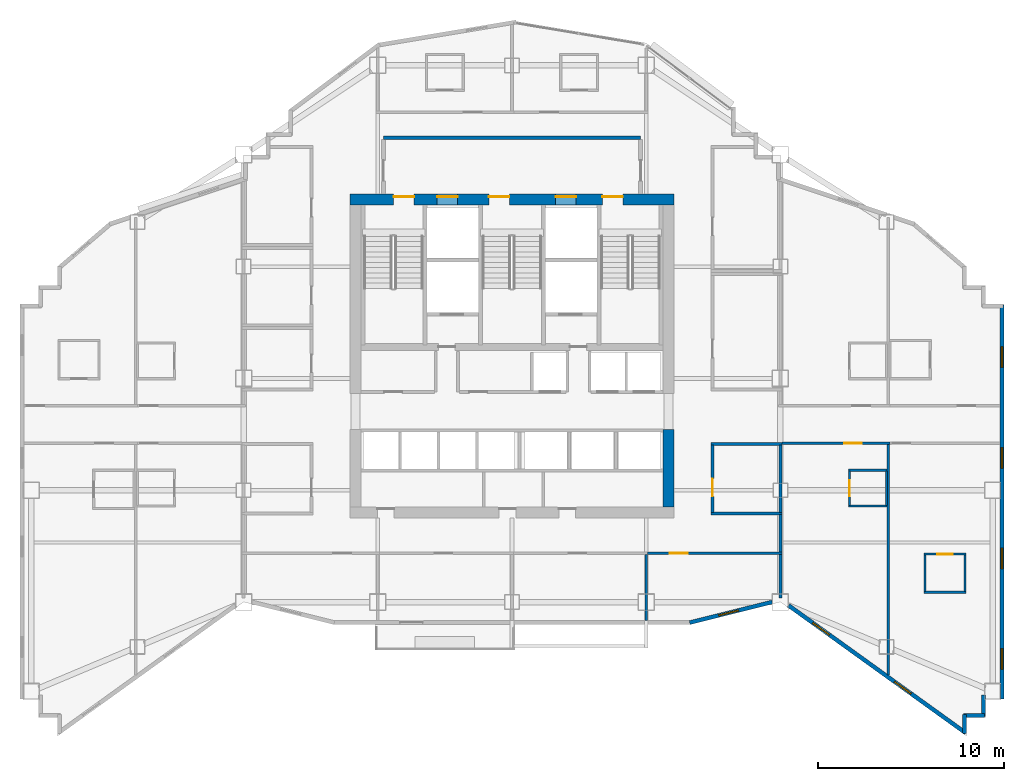
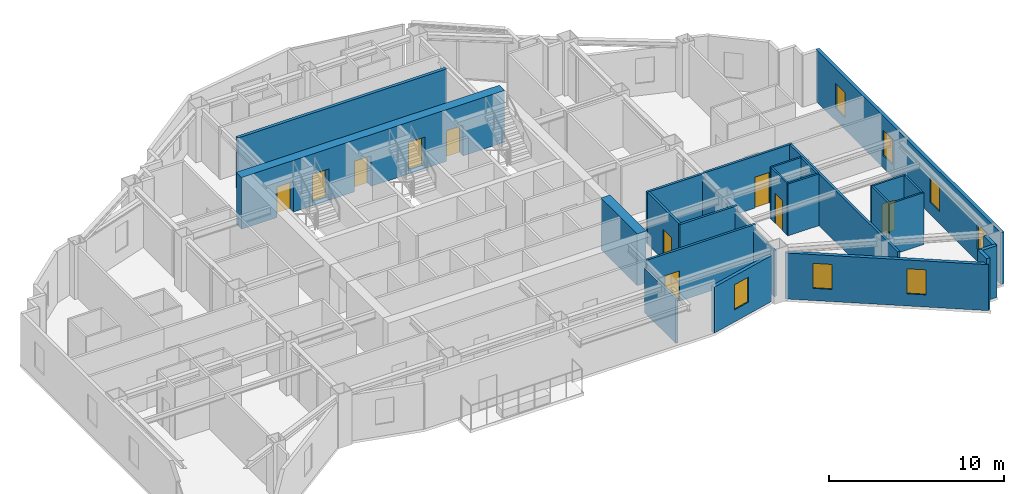
# One storey, part 7 of 11: 27 walls, 10 doors, 7 windows, 17 openings.
"""IFC4 building model written with IfcOpenShell, lengths in metres."""

from ifc_helpers import new_model, si_unit, direction, frame, frame_2d, origin, place, context, subcontext, project, spatial, rectangle, extrude, material, layer, layer_set, type_object, element, fill, save


model = new_model("IFC4")

# Units and contexts
model_context = context("Model", 3, precision=1e-05, world=origin(), true_north=direction((0.0, 1.0)))
body_context = subcontext(model_context, "Body", "Model", "MODEL_VIEW")
ifc_project = project(units=[si_unit("LENGTHUNIT", "METRE"), si_unit("AREAUNIT", "SQUARE_METRE"), si_unit("VOLUMEUNIT", "CUBIC_METRE"), si_unit("PLANEANGLEUNIT", "RADIAN"), si_unit("MASSUNIT", "GRAM", prefix="KILO")], contexts=[model_context])

# Site, building, storey
site_placement = place(None, origin())
site = spatial("IfcSite", under=ifc_project, at=site_placement, CompositionType="ELEMENT")
building_placement = place(site_placement, origin())
building = spatial("IfcBuilding", under=site, at=building_placement, Name="Haolan Belvedere Tower", CompositionType="ELEMENT")
storey_placement = place(building_placement, frame((0.0, 0.0, 172.800048828125)))
storey = spatial("IfcBuildingStorey", under=building, at=storey_placement, Name="L43", CompositionType="ELEMENT", Elevation=172.800048828125)

# Wall, openings, doors
ifc_material_1 = material(Name="Concrete C60/75", Category="concrete")
ifc_layer_1 = layer(ifc_material_1, 0.60009765625, Name="Concrete C60/75")
ifc_layer_set_1 = layer_set([ifc_layer_1], Name="Concrete C60/75")
wall_type_1 = type_object("IfcWallType", Name="WL-CORE-600", PredefinedType="SHEAR", material=ifc_layer_set_1)
wall_1_placement = place(storey_placement, frame((29.699951171875, 43.199951171875, 0.0), z_axis=(0.0, 0.0, 1.0), x_axis=(1.0, 0.0, 0.0)))
wall_1 = element("IfcWall", 1, at=wall_1_placement, inside=storey, type_object=wall_type_1, Name="L43 central core north shear wall", PredefinedType="SHEAR", context=body_context, shape_type="SweptSolid", body=[
    extrude(rectangle(XDim=17.400146484375, YDim=0.60009765625, at=frame_2d((8.7001953125, 0.0))), origin(), (0.0, 0.0, 1.0), 3.619873046875),
])
opening_1_placement = place(wall_1_placement, frame((2.35009765625, 0.0, 0.0)))
opening_1 = element("IfcOpeningElement", 2, at=opening_1_placement, cuts=wall_1, Name="Opening FD-03", PredefinedType="OPENING", context=body_context, shape_type="SweptSolid", body=[
    extrude(rectangle(XDim=1.10009765625, YDim=2.14990234375, at=frame_2d((0.550048828125, 1.074951171875))), frame((0.0, 0.31005859375, 0.0), z_axis=(0.0, -1.0, 0.0), x_axis=(1.0, 0.0, 0.0)), (0.0, 0.0, 1.0), 0.6201171875),
])
opening_2_placement = place(wall_1_placement, frame((7.4599609375, 0.0, 0.0)))
opening_2 = element("IfcOpeningElement", 3, at=opening_2_placement, cuts=wall_1, Name="Opening FD-03", PredefinedType="OPENING", context=body_context, shape_type="SweptSolid", body=[
    extrude(rectangle(XDim=1.10009765625, YDim=2.14990234375, at=frame_2d((0.550048828125, 1.074951171875))), frame((0.0, 0.31005859375, 0.0), z_axis=(0.0, -1.0, 0.0), x_axis=(1.0, 0.0, 0.0)), (0.0, 0.0, 1.0), 0.6201171875),
])
opening_3_placement = place(wall_1_placement, frame((13.550048828125, 0.0, 0.0)))
opening_3 = element("IfcOpeningElement", 4, at=opening_3_placement, cuts=wall_1, Name="Opening FD-03", PredefinedType="OPENING", context=body_context, shape_type="SweptSolid", body=[
    extrude(rectangle(XDim=1.10009765625, YDim=2.14990234375, at=frame_2d((0.550048828125, 1.074951171875))), frame((0.0, 0.31005859375, 0.0), z_axis=(0.0, -1.0, 0.0), x_axis=(1.0, 0.0, 0.0)), (0.0, 0.0, 1.0), 0.6201171875),
])
opening_4_placement = place(wall_1_placement, frame((4.679931640625, 0.0, 0.0)))
opening_4 = element("IfcOpeningElement", 5, at=opening_4_placement, cuts=wall_1, Name="Opening LD-01", PredefinedType="OPENING", context=body_context, shape_type="SweptSolid", body=[
    extrude(rectangle(XDim=1.10009765625, YDim=2.199951171875, at=frame_2d((0.550048828125, 1.10009765625))), frame((0.0, 0.31005859375, 0.0), z_axis=(0.0, -1.0, 0.0), x_axis=(1.0, 0.0, 0.0)), (0.0, 0.0, 1.0), 0.6201171875),
])
opening_5_placement = place(wall_1_placement, frame((11.0400390625, 0.0, 0.0)))
opening_5 = element("IfcOpeningElement", 6, at=opening_5_placement, cuts=wall_1, Name="Opening LD-01", PredefinedType="OPENING", context=body_context, shape_type="SweptSolid", body=[
    extrude(rectangle(XDim=1.10009765625, YDim=2.199951171875, at=frame_2d((0.550048828125, 1.10009765625))), frame((0.0, 0.31005859375, 0.0), z_axis=(0.0, -1.0, 0.0), x_axis=(1.0, 0.0, 0.0)), (0.0, 0.0, 1.0), 0.6201171875),
])
ifc_material_2 = material(Name="Galvanised fire-rated steel", Category="steel")
door_type_1 = type_object("IfcDoorType", Name="DR-FD90-1100", OperationType="NOTDEFINED", PredefinedType="DOOR", material=ifc_material_2)
door_1_placement = place(opening_1_placement, origin())
door_1 = element("IfcDoor", 7, at=door_1_placement, inside=storey, type_object=door_type_1, Name="L43 door CD-L43-ST1", OperationType="SINGLE_SWING_LEFT", OverallHeight=2.14990234375, OverallWidth=1.10009765625, PredefinedType="DOOR", context=body_context, shape_type="SweptSolid", body=[
    extrude(rectangle(XDim=1.10009765625, YDim=2.14990234375, at=frame_2d((0.550048828125, 1.074951171875))), frame((0.0, 0.18505859375, 0.0), z_axis=(0.0, -1.0, 0.0), x_axis=(1.0, 0.0, 0.0)), (0.0, 0.0, 1.0), 0.050048828125),
])
fill(opening_1, door_1)
door_2_placement = place(opening_2_placement, origin())
door_2 = element("IfcDoor", 8, at=door_2_placement, inside=storey, type_object=door_type_1, Name="L43 door CD-L43-ST3", OperationType="SINGLE_SWING_LEFT", OverallHeight=2.14990234375, OverallWidth=1.10009765625, PredefinedType="DOOR", context=body_context, shape_type="SweptSolid", body=[
    extrude(rectangle(XDim=1.10009765625, YDim=2.14990234375, at=frame_2d((0.550048828125, 1.074951171875))), frame((0.0, 0.18505859375, 0.0), z_axis=(0.0, -1.0, 0.0), x_axis=(1.0, 0.0, 0.0)), (0.0, 0.0, 1.0), 0.050048828125),
])
fill(opening_2, door_2)
door_3_placement = place(opening_3_placement, origin())
door_3 = element("IfcDoor", 9, at=door_3_placement, inside=storey, type_object=door_type_1, Name="L43 door CD-L43-ST2", OperationType="SINGLE_SWING_RIGHT", OverallHeight=2.14990234375, OverallWidth=1.10009765625, PredefinedType="DOOR", context=body_context, shape_type="SweptSolid", body=[
    extrude(rectangle(XDim=1.10009765625, YDim=2.14990234375, at=frame_2d((0.550048828125, 1.074951171875))), frame((0.0, 0.18505859375, 0.0), z_axis=(0.0, -1.0, 0.0), x_axis=(1.0, 0.0, 0.0)), (0.0, 0.0, 1.0), 0.050048828125),
])
fill(opening_3, door_3)
ifc_material_3 = material(Name="Brushed champagne stainless steel 316L", Category="steel")
door_type_2 = type_object("IfcDoorType", Name="DR-LIFT-1100", OperationType="SLIDING_TO_LEFT", PredefinedType="DOOR", material=ifc_material_3)
door_4_placement = place(opening_4_placement, origin())
door_4 = element("IfcDoor", 10, at=door_4_placement, inside=storey, type_object=door_type_2, Name="L43 door LD-L43-FF1", OperationType="SLIDING_TO_LEFT", OverallHeight=2.199951171875, OverallWidth=1.10009765625, PredefinedType="DOOR", context=body_context, shape_type="SweptSolid", body=[
    extrude(rectangle(XDim=1.10009765625, YDim=2.199951171875, at=frame_2d((0.550048828125, 1.10009765625))), frame((0.0, 0.18505859375, 0.0), z_axis=(0.0, -1.0, 0.0), x_axis=(1.0, 0.0, 0.0)), (0.0, 0.0, 1.0), 0.050048828125),
])
fill(opening_4, door_4)
door_5_placement = place(opening_5_placement, origin())
door_5 = element("IfcDoor", 11, at=door_5_placement, inside=storey, type_object=door_type_2, Name="L43 door LD-L43-FF2", OperationType="SLIDING_TO_LEFT", OverallHeight=2.199951171875, OverallWidth=1.10009765625, PredefinedType="DOOR", context=body_context, shape_type="SweptSolid", body=[
    extrude(rectangle(XDim=1.10009765625, YDim=2.199951171875, at=frame_2d((0.550048828125, 1.10009765625))), frame((0.0, 0.18505859375, 0.0), z_axis=(0.0, -1.0, 0.0), x_axis=(1.0, 0.0, 0.0)), (0.0, 0.0, 1.0), 0.050048828125),
])
fill(opening_5, door_5)

# Wall
wall_2_placement = place(storey_placement, frame((46.800048828125, 26.699951171875, 0.0), z_axis=(0.0, 0.0, 1.0), x_axis=(0.0, 1.0, 0.0)))
element("IfcWall", 12, at=wall_2_placement, inside=storey, type_object=wall_type_1, Name="L43 central core shear wall ES", PredefinedType="SHEAR", context=body_context, shape_type="SweptSolid", body=[
    extrude(rectangle(XDim=4.150146484375, YDim=0.60009765625, at=frame_2d((2.0751953125, 0.0))), origin(), (0.0, 0.0, 1.0), 3.619873046875),
])

# Wall, opening, window
ifc_material_4 = material(Name="Precast concrete C40/50", Category="concrete")
ifc_layer_2 = layer(ifc_material_4, 0.219970703125, Name="Precast concrete C40/50")
ifc_layer_set_2 = layer_set([ifc_layer_2], Name="Precast concrete C40/50")
wall_type_2 = type_object("IfcWallType", Name="WL-EXT-220", PredefinedType="SOLIDWALL", material=ifc_layer_set_2)
wall_3_placement = place(storey_placement, frame((47.93310546875, 20.49658203125, 0.0), z_axis=(0.0, 0.0, 1.0), x_axis=(0.970142500145, 0.242535625036, 0.0)))
wall_3 = element("IfcWall", 13, at=wall_3_placement, inside=storey, type_object=wall_type_2, Name="L43 pale-metal exterior spandrel wall 2.1", PredefinedType="SOLIDWALL", context=body_context, shape_type="SweptSolid", body=[
    extrude(rectangle(XDim=4.56103515625, YDim=0.219970703125, at=frame_2d((2.280517578125, 0.0))), origin(), (0.0, 0.0, 1.0), 3.21484375),
])
opening_6_placement = place(wall_3_placement, frame((1.60009765625, 0.0, 0.85009765625)))
opening_6 = element("IfcOpeningElement", 14, at=opening_6_placement, cuts=wall_3, Name="Opening W-03", PredefinedType="OPENING", context=body_context, shape_type="SweptSolid", body=[
    extrude(rectangle(XDim=1.10009765625, YDim=1.75, at=frame_2d((0.550048828125, 0.875))), frame((0.0, 0.119873046875, 0.0), z_axis=(0.0, -1.0, 0.0), x_axis=(1.0, 0.0, 0.0)), (0.0, 0.0, 1.0), 0.239990234375),
])
ifc_material_5 = material(Name="Anodised aluminium 6063-T6 and Low-E glass", Category="aluminium")
window_type = type_object("IfcWindowType", Name="WN-DECO-Z3", PartitioningType="SINGLE_PANEL", PredefinedType="WINDOW", material=ifc_material_5)
window_1_placement = place(opening_6_placement, origin())
window_1 = element("IfcWindow", 15, at=window_1_placement, inside=storey, type_object=window_type, Name="L43 Art Deco chevron window 1", OverallHeight=1.75, OverallWidth=1.10009765625, PartitioningType="SINGLE_PANEL", PredefinedType="WINDOW", context=body_context, shape_type="SweptSolid", body=[
    extrude(rectangle(XDim=1.10009765625, YDim=1.75, at=frame_2d((0.550048828125, 0.875))), frame((0.0, 0.030029296875, 0.0), z_axis=(0.0, -1.0, 0.0), x_axis=(1.0, 0.0, 0.0)), (0.0, 0.0, 1.0), 0.06005859375),
])
fill(opening_6, window_1)

# Wall, openings, windows
wall_4_placement = place(storey_placement, frame((53.241943359375, 21.417236328125, 0.0), z_axis=(0.0, 0.0, 1.0), x_axis=(0.811534737332, -0.58430417601, 0.0)))
wall_4 = element("IfcWall", 16, at=wall_4_placement, inside=storey, type_object=wall_type_2, Name="L43 pale-metal exterior spandrel wall 3.1", PredefinedType="SOLIDWALL", context=body_context, shape_type="SweptSolid", body=[
    extrude(rectangle(XDim=11.697265625, YDim=0.219970703125, at=frame_2d((5.8486328125, 0.0))), origin(), (0.0, 0.0, 1.0), 3.21484375),
])
opening_7_placement = place(wall_4_placement, frame((1.60009765625, 0.0, 0.85009765625)))
opening_7 = element("IfcOpeningElement", 17, at=opening_7_placement, cuts=wall_4, Name="Opening W-03", PredefinedType="OPENING", context=body_context, shape_type="SweptSolid", body=[
    extrude(rectangle(XDim=1.10009765625, YDim=1.75, at=frame_2d((0.550048828125, 0.875))), frame((0.0, 0.119873046875, 0.0), z_axis=(0.0, -1.0, 0.0), x_axis=(1.0, 0.0, 0.0)), (0.0, 0.0, 1.0), 0.239990234375),
])
opening_8_placement = place(wall_4_placement, frame((7.0, 0.0, 0.85009765625)))
opening_8 = element("IfcOpeningElement", 18, at=opening_8_placement, cuts=wall_4, Name="Opening W-03", PredefinedType="OPENING", context=body_context, shape_type="SweptSolid", body=[
    extrude(rectangle(XDim=1.10009765625, YDim=1.75, at=frame_2d((0.550048828125, 0.875))), frame((0.0, 0.119873046875, 0.0), z_axis=(0.0, -1.0, 0.0), x_axis=(1.0, 0.0, 0.0)), (0.0, 0.0, 1.0), 0.239990234375),
])
window_2_placement = place(opening_7_placement, origin())
window_2 = element("IfcWindow", 19, at=window_2_placement, inside=storey, type_object=window_type, Name="L43 Art Deco chevron window 1", OverallHeight=1.75, OverallWidth=1.10009765625, PartitioningType="SINGLE_PANEL", PredefinedType="WINDOW", context=body_context, shape_type="SweptSolid", body=[
    extrude(rectangle(XDim=1.10009765625, YDim=1.75, at=frame_2d((0.550048828125, 0.875))), frame((0.0, 0.030029296875, 0.0), z_axis=(0.0, -1.0, 0.0), x_axis=(1.0, 0.0, 0.0)), (0.0, 0.0, 1.0), 0.06005859375),
])
fill(opening_7, window_2)
window_3_placement = place(opening_8_placement, origin())
window_3 = element("IfcWindow", 20, at=window_3_placement, inside=storey, type_object=window_type, Name="L43 Art Deco chevron window 2", OverallHeight=1.75, OverallWidth=1.10009765625, PartitioningType="SINGLE_PANEL", PredefinedType="WINDOW", context=body_context, shape_type="SweptSolid", body=[
    extrude(rectangle(XDim=1.10009765625, YDim=1.75, at=frame_2d((0.550048828125, 0.875))), frame((0.0, 0.030029296875, 0.0), z_axis=(0.0, -1.0, 0.0), x_axis=(1.0, 0.0, 0.0)), (0.0, 0.0, 1.0), 0.06005859375),
])
fill(opening_8, window_3)

# Walls
wall_5_placement = place(storey_placement, frame((62.68994140625, 14.559814453125, 0.0), z_axis=(0.0, 0.0, 1.0), x_axis=(0.0, 1.0, 0.0)))
element("IfcWall", 21, at=wall_5_placement, inside=storey, type_object=wall_type_2, Name="L43 pale-metal exterior spandrel wall 4.1", PredefinedType="SOLIDWALL", context=body_context, shape_type="SweptSolid", body=[
    extrude(rectangle(XDim=1.005126953125, YDim=0.219970703125, at=frame_2d((0.50244140625, 0.0))), origin(), (0.0, 0.0, 1.0), 3.619873046875),
])
wall_6_placement = place(storey_placement, frame((62.635009765625, 15.510009765625, 0.0), z_axis=(0.0, 0.0, 1.0), x_axis=(1.0, 0.0, 0.0)))
element("IfcWall", 22, at=wall_6_placement, inside=storey, type_object=wall_type_2, Name="L43 pale-metal exterior spandrel wall 5.1", PredefinedType="SOLIDWALL", context=body_context, shape_type="SweptSolid", body=[
    extrude(rectangle(XDim=1.110107421875, YDim=0.219970703125, at=frame_2d((0.55517578125, 0.0))), origin(), (0.0, 0.0, 1.0), 3.619873046875),
])
wall_7_placement = place(storey_placement, frame((63.68994140625, 15.455078125, 0.0), z_axis=(0.0, 0.0, 1.0), x_axis=(0.0, 1.0, 0.0)))
element("IfcWall", 23, at=wall_7_placement, inside=storey, type_object=wall_type_2, Name="L43 pale-metal exterior spandrel wall 6.1", PredefinedType="SOLIDWALL", context=body_context, shape_type="SweptSolid", body=[
    extrude(rectangle(XDim=1.1650390625, YDim=0.219970703125, at=frame_2d((0.58251953125, 0.0))), origin(), (0.0, 0.0, 1.0), 3.619873046875),
])

# Wall, openings, windows
wall_8_placement = place(storey_placement, frame((64.68994140625, 16.39990234375, 0.0), z_axis=(0.0, 0.0, 1.0), x_axis=(0.0, 1.0, 0.0)))
wall_8 = element("IfcWall", 24, at=wall_8_placement, inside=storey, type_object=wall_type_2, Name="L43 pale-metal exterior spandrel wall 8.1", PredefinedType="SOLIDWALL", context=body_context, shape_type="SweptSolid", body=[
    extrude(rectangle(XDim=21.14501953125, YDim=0.219970703125, at=frame_2d((10.572509765625, 0.0))), origin(), (0.0, 0.0, 1.0), 3.619873046875),
])
opening_9_placement = place(wall_8_placement, frame((1.60009765625, 0.0, 0.85009765625)))
opening_9 = element("IfcOpeningElement", 25, at=opening_9_placement, cuts=wall_8, Name="Opening W-03", PredefinedType="OPENING", context=body_context, shape_type="SweptSolid", body=[
    extrude(rectangle(XDim=1.10009765625, YDim=1.75, at=frame_2d((0.550048828125, 0.875))), frame((0.0, 0.119873046875, 0.0), z_axis=(0.0, -1.0, 0.0), x_axis=(1.0, 0.0, 0.0)), (0.0, 0.0, 1.0), 0.239990234375),
])
opening_10_placement = place(wall_8_placement, frame((7.0, 0.0, 0.85009765625)))
opening_10 = element("IfcOpeningElement", 26, at=opening_10_placement, cuts=wall_8, Name="Opening W-03", PredefinedType="OPENING", context=body_context, shape_type="SweptSolid", body=[
    extrude(rectangle(XDim=1.10009765625, YDim=1.75, at=frame_2d((0.550048828125, 0.875))), frame((0.0, 0.119873046875, 0.0), z_axis=(0.0, -1.0, 0.0), x_axis=(1.0, 0.0, 0.0)), (0.0, 0.0, 1.0), 0.239990234375),
])
opening_11_placement = place(wall_8_placement, frame((12.385009765625, 0.0, 0.85009765625)))
opening_11 = element("IfcOpeningElement", 27, at=opening_11_placement, cuts=wall_8, Name="Opening W-03", PredefinedType="OPENING", context=body_context, shape_type="SweptSolid", body=[
    extrude(rectangle(XDim=1.10009765625, YDim=1.75, at=frame_2d((0.550048828125, 0.875))), frame((0.0, 0.119873046875, 0.0), z_axis=(0.0, -1.0, 0.0), x_axis=(1.0, 0.0, 0.0)), (0.0, 0.0, 1.0), 0.239990234375),
])
opening_12_placement = place(wall_8_placement, frame((17.800048828125, 0.0, 0.85009765625)))
opening_12 = element("IfcOpeningElement", 28, at=opening_12_placement, cuts=wall_8, Name="Opening W-03", PredefinedType="OPENING", context=body_context, shape_type="SweptSolid", body=[
    extrude(rectangle(XDim=1.10009765625, YDim=1.75, at=frame_2d((0.550048828125, 0.875))), frame((0.0, 0.119873046875, 0.0), z_axis=(0.0, -1.0, 0.0), x_axis=(1.0, 0.0, 0.0)), (0.0, 0.0, 1.0), 0.239990234375),
])
window_4_placement = place(opening_9_placement, origin())
window_4 = element("IfcWindow", 29, at=window_4_placement, inside=storey, type_object=window_type, Name="L43 Art Deco chevron window 1", OverallHeight=1.75, OverallWidth=1.10009765625, PartitioningType="SINGLE_PANEL", PredefinedType="WINDOW", context=body_context, shape_type="SweptSolid", body=[
    extrude(rectangle(XDim=1.10009765625, YDim=1.75, at=frame_2d((0.550048828125, 0.875))), frame((0.0, 0.030029296875, 0.0), z_axis=(0.0, -1.0, 0.0), x_axis=(1.0, 0.0, 0.0)), (0.0, 0.0, 1.0), 0.06005859375),
])
fill(opening_9, window_4)
window_5_placement = place(opening_10_placement, origin())
window_5 = element("IfcWindow", 30, at=window_5_placement, inside=storey, type_object=window_type, Name="L43 Art Deco chevron window 2", OverallHeight=1.75, OverallWidth=1.10009765625, PartitioningType="SINGLE_PANEL", PredefinedType="WINDOW", context=body_context, shape_type="SweptSolid", body=[
    extrude(rectangle(XDim=1.10009765625, YDim=1.75, at=frame_2d((0.550048828125, 0.875))), frame((0.0, 0.030029296875, 0.0), z_axis=(0.0, -1.0, 0.0), x_axis=(1.0, 0.0, 0.0)), (0.0, 0.0, 1.0), 0.06005859375),
])
fill(opening_10, window_5)
window_6_placement = place(opening_11_placement, origin())
window_6 = element("IfcWindow", 31, at=window_6_placement, inside=storey, type_object=window_type, Name="L43 Art Deco chevron window 3", OverallHeight=1.75, OverallWidth=1.10009765625, PartitioningType="SINGLE_PANEL", PredefinedType="WINDOW", context=body_context, shape_type="SweptSolid", body=[
    extrude(rectangle(XDim=1.10009765625, YDim=1.75, at=frame_2d((0.550048828125, 0.875))), frame((0.0, 0.030029296875, 0.0), z_axis=(0.0, -1.0, 0.0), x_axis=(1.0, 0.0, 0.0)), (0.0, 0.0, 1.0), 0.06005859375),
])
fill(opening_11, window_6)
window_7_placement = place(opening_12_placement, origin())
window_7 = element("IfcWindow", 32, at=window_7_placement, inside=storey, type_object=window_type, Name="L43 Art Deco chevron window 4", OverallHeight=1.75, OverallWidth=1.10009765625, PartitioningType="SINGLE_PANEL", PredefinedType="WINDOW", context=body_context, shape_type="SweptSolid", body=[
    extrude(rectangle(XDim=1.10009765625, YDim=1.75, at=frame_2d((0.550048828125, 0.875))), frame((0.0, 0.030029296875, 0.0), z_axis=(0.0, -1.0, 0.0), x_axis=(1.0, 0.0, 0.0)), (0.0, 0.0, 1.0), 0.06005859375),
])
fill(opening_12, window_7)

# Walls
ifc_material_6 = material(Name="Concrete C40/50", Category="concrete")
ifc_layer_3 = layer(ifc_material_6, 0.199951171875, Name="Concrete C40/50")
ifc_layer_set_3 = layer_set([ifc_layer_3], Name="Concrete C40/50")
wall_type_3 = type_object("IfcWallType", Name="WL-FIRE-200", PredefinedType="SOLIDWALL", material=ifc_layer_set_3)
wall_9_placement = place(storey_placement, frame((31.5, 46.52001953125, 0.0), z_axis=(0.0, 0.0, 1.0), x_axis=(1.0, 0.0, 0.0)))
element("IfcWall", 33, at=wall_9_placement, inside=storey, type_object=wall_type_3, Name="L43 interior partition IW-L43-FFL-N", PredefinedType="SOLIDWALL", context=body_context, shape_type="SweptSolid", body=[
    extrude(rectangle(XDim=13.800048828125, YDim=0.199951171875, at=frame_2d((6.89990234375, 0.0))), origin(), (0.0, 0.0, 1.0), 3.619873046875),
])
ifc_material_7 = material(Name="Double gypsum acoustic stud partition", Category="masonry")
ifc_layer_4 = layer(ifc_material_7, 0.14990234375, Name="Double gypsum acoustic stud partition")
ifc_layer_set_4 = layer_set([ifc_layer_4], Name="Double gypsum acoustic stud partition")
wall_type_4 = type_object("IfcWallType", Name="WL-PART-150", PredefinedType="PARTITIONING", material=ifc_layer_set_4)
for number, where, z_axis, x_axis, name in (
    (34, (49.080078125, 30.080078125, 0.0), (0.0, 0.0, 1.0), (1.0, 0.0, 0.0), "L43 interior partition IW-L43-PKTE-N"),
    (35, (49.080078125, 26.35009765625, 0.0), (0.0, 0.0, 1.0), (1.0, 0.0, 0.0), "L43 interior partition IW-L43-PKTE-S"),
):
    element("IfcWall", number, at=place(storey_placement, frame(where, z_axis=z_axis, x_axis=x_axis)), inside=storey, type_object=wall_type_4, Name=name, PredefinedType="PARTITIONING", context=body_context, shape_type="SweptSolid", body=[
        extrude(rectangle(XDim=3.7998046875, YDim=0.14990234375, at=frame_2d((1.89990234375, 0.0))), origin(), (0.0, 0.0, 1.0), 3.619873046875),
    ])

# Wall, opening, door
wall_10_placement = place(storey_placement, frame((49.159912109375, 26.409912109375, 0.0), z_axis=(0.0, 0.0, 1.0), x_axis=(0.0, 1.0, 0.0)))
wall_10 = element("IfcWall", 36, at=wall_10_placement, inside=storey, type_object=wall_type_4, Name="L43 interior partition IW-L43-PKTE-W", PredefinedType="PARTITIONING", context=body_context, shape_type="SweptSolid", body=[
    extrude(rectangle(XDim=3.610107421875, YDim=0.14990234375, at=frame_2d((1.80517578125, 0.0))), origin(), (0.0, 0.0, 1.0), 3.619873046875),
])
opening_13_placement = place(wall_10_placement, frame((0.860107421875, 0.0, 0.0)))
opening_13 = element("IfcOpeningElement", 37, at=opening_13_placement, cuts=wall_10, Name="Opening ID-03", PredefinedType="OPENING", context=body_context, shape_type="SweptSolid", body=[
    extrude(rectangle(XDim=0.949951171875, YDim=2.1201171875, at=frame_2d((0.47509765625, 1.06005859375))), frame((0.0, 0.0849609375, 0.0), z_axis=(0.0, -1.0, 0.0), x_axis=(1.0, 0.0, 0.0)), (0.0, 0.0, 1.0), 0.169921875),
])
ifc_material_8 = material(Name="Painted solid-core timber", Category="wood")
door_type_3 = type_object("IfcDoorType", Name="DR-INT-950", OperationType="NOTDEFINED", PredefinedType="DOOR", material=ifc_material_8)
door_6_placement = place(opening_13_placement, origin())
door_6 = element("IfcDoor", 38, at=door_6_placement, inside=storey, type_object=door_type_3, Name="L43 door ID-L43-PKTE", OperationType="SINGLE_SWING_RIGHT", OverallHeight=2.1201171875, OverallWidth=0.949951171875, PredefinedType="DOOR", context=body_context, shape_type="SweptSolid", body=[
    extrude(rectangle(XDim=0.949951171875, YDim=2.1201171875, at=frame_2d((0.47509765625, 1.06005859375))), frame((0.0, 0.02490234375, 0.0), z_axis=(0.0, -1.0, 0.0), x_axis=(1.0, 0.0, 0.0)), (0.0, 0.0, 1.0), 0.050048828125),
])
fill(opening_13, door_6)

# Walls
wall_11_placement = place(storey_placement, frame((52.800048828125, 26.409912109375, 0.0), z_axis=(0.0, 0.0, 1.0), x_axis=(0.0, 1.0, 0.0)))
element("IfcWall", 39, at=wall_11_placement, inside=storey, type_object=wall_type_4, Name="L43 interior partition IW-L43-PKTE-E", PredefinedType="PARTITIONING", context=body_context, shape_type="SweptSolid", body=[
    extrude(rectangle(XDim=3.610107421875, YDim=0.14990234375, at=frame_2d((1.80517578125, 0.0))), origin(), (0.0, 0.0, 1.0), 3.21484375),
])
wall_12_placement = place(storey_placement, frame((45.60009765625, 20.612060546875, 0.0), z_axis=(0.0, 0.0, 1.0), x_axis=(0.0, 1.0, 0.0)))
element("IfcWall", 40, at=wall_12_placement, inside=storey, type_object=wall_type_4, Name="L43 interior partition IW-L43-KS3-E", PredefinedType="PARTITIONING", context=body_context, shape_type="SweptSolid", body=[
    extrude(rectangle(XDim=3.5478515625, YDim=0.14990234375, at=frame_2d((1.77392578125, 0.0))), origin(), (0.0, 0.0, 1.0), 3.10498046875),
])

# Wall, opening, door
wall_13_placement = place(storey_placement, frame((45.681884765625, 24.219970703125, 0.0), z_axis=(0.0, 0.0, 1.0), x_axis=(1.0, 0.0, 0.0)))
wall_13 = element("IfcWall", 41, at=wall_13_placement, inside=storey, type_object=wall_type_4, Name="L43 interior partition IW-L43-KS4-N", PredefinedType="PARTITIONING", context=body_context, shape_type="SweptSolid", body=[
    extrude(rectangle(XDim=7.197998046875, YDim=0.14990234375, at=frame_2d((3.59912109375, 0.0))), origin(), (0.0, 0.0, 1.0), 3.619873046875),
])
opening_14_placement = place(wall_13_placement, frame((2.14306640625, 0.0, 0.0), z_axis=(0.0, 0.0, 1.0), x_axis=(-1.0, 0.0, 0.0)))
opening_14 = element("IfcOpeningElement", 42, at=opening_14_placement, cuts=wall_13, Name="Opening ID-03", PredefinedType="OPENING", context=body_context, shape_type="SweptSolid", body=[
    extrude(rectangle(XDim=0.949951171875, YDim=2.1201171875, at=frame_2d((0.47509765625, 1.06005859375))), frame((0.0, 0.0849609375, 0.0), z_axis=(0.0, -1.0, 0.0), x_axis=(1.0, 0.0, 0.0)), (0.0, 0.0, 1.0), 0.169921875),
])
door_7_placement = place(opening_14_placement, origin())
door_7 = element("IfcDoor", 43, at=door_7_placement, inside=storey, type_object=door_type_3, Name="L43 door ID-L43-KS4", OperationType="SINGLE_SWING_RIGHT", OverallHeight=2.1201171875, OverallWidth=0.949951171875, PredefinedType="DOOR", context=body_context, shape_type="SweptSolid", body=[
    extrude(rectangle(XDim=0.949951171875, YDim=2.1201171875, at=frame_2d((0.47509765625, 1.06005859375))), frame((0.0, 0.02490234375, 0.0), z_axis=(0.0, -1.0, 0.0), x_axis=(1.0, 0.0, 0.0)), (0.0, 0.0, 1.0), 0.050048828125),
])
fill(opening_14, door_7)

# Wall
wall_14_placement = place(storey_placement, frame((52.800048828125, 21.818603515625, 0.0), z_axis=(0.0, 0.0, 1.0), x_axis=(0.0, 1.0, 0.0)))
element("IfcWall", 44, at=wall_14_placement, inside=storey, type_object=wall_type_4, Name="L43 interior partition IW-L43-KS4-E", PredefinedType="PARTITIONING", context=body_context, shape_type="SweptSolid", body=[
    extrude(rectangle(XDim=2.34130859375, YDim=0.14990234375, at=frame_2d((1.170654296875, 0.0))), origin(), (0.0, 0.0, 1.0), 3.21484375),
])

# Wall, opening, door
wall_15_placement = place(storey_placement, frame((52.882080078125, 30.1201171875, 0.0), z_axis=(0.0, 0.0, 1.0), x_axis=(1.0, 0.0, 0.0)))
wall_15 = element("IfcWall", 45, at=wall_15_placement, inside=storey, type_object=wall_type_4, Name="L43 interior partition IW-L43-T4S1-N", PredefinedType="PARTITIONING", context=body_context, shape_type="SweptSolid", body=[
    extrude(rectangle(XDim=5.807861328125, YDim=0.14990234375, at=frame_2d((2.90380859375, 0.0))), origin(), (0.0, 0.0, 1.0), 3.619873046875),
])
opening_15_placement = place(wall_15_placement, frame((4.290771484375, 0.0, 0.0), z_axis=(0.0, 0.0, 1.0), x_axis=(-1.0, 0.0, 0.0)))
opening_15 = element("IfcOpeningElement", 46, at=opening_15_placement, cuts=wall_15, Name="Opening ID-02", PredefinedType="OPENING", context=body_context, shape_type="SweptSolid", body=[
    extrude(rectangle(XDim=0.949951171875, YDim=2.14990234375, at=frame_2d((0.47509765625, 1.074951171875))), frame((0.0, 0.0849609375, 0.0), z_axis=(0.0, -1.0, 0.0), x_axis=(1.0, 0.0, 0.0)), (0.0, 0.0, 1.0), 0.169921875),
])
ifc_material_9 = material(Name="Acoustic oak veneer fire-rated timber", Category="wood")
door_type_4 = type_object("IfcDoorType", Name="DR-GUEST-950", OperationType="NOTDEFINED", PredefinedType="DOOR", material=ifc_material_9)
door_8_placement = place(opening_15_placement, origin())
door_8 = element("IfcDoor", 47, at=door_8_placement, inside=storey, type_object=door_type_4, Name="L43 door ID-L43-T4S1-ENT", OperationType="SINGLE_SWING_LEFT", OverallHeight=2.14990234375, OverallWidth=0.949951171875, PredefinedType="DOOR", context=body_context, shape_type="SweptSolid", body=[
    extrude(rectangle(XDim=0.949951171875, YDim=2.14990234375, at=frame_2d((0.47509765625, 1.074951171875))), frame((0.0, 0.02490234375, 0.0), z_axis=(0.0, -1.0, 0.0), x_axis=(1.0, 0.0, 0.0)), (0.0, 0.0, 1.0), 0.050048828125),
])
fill(opening_15, door_8)

# Walls
wall_16_placement = place(storey_placement, frame((52.800048828125, 24.280029296875, 0.0), z_axis=(0.0, 0.0, 1.0), x_axis=(0.0, 1.0, 0.0)))
element("IfcWall", 48, at=wall_16_placement, inside=storey, type_object=wall_type_4, Name="L43 interior partition IW-L43-T4S1-W", PredefinedType="PARTITIONING", context=body_context, shape_type="SweptSolid", body=[
    extrude(rectangle(XDim=2.010009765625, YDim=0.14990234375, at=frame_2d((1.0048828125, 0.0))), origin(), (0.0, 0.0, 1.0), 3.21484375),
])
wall_17_placement = place(storey_placement, frame((58.590087890625, 17.6923828125, 0.0), z_axis=(0.0, 0.0, 1.0), x_axis=(0.0, 1.0, 0.0)))
element("IfcWall", 49, at=wall_17_placement, inside=storey, type_object=wall_type_4, Name="L43 interior partition IW-L43-T4S1-E", PredefinedType="PARTITIONING", context=body_context, shape_type="SweptSolid", body=[
    extrude(rectangle(XDim=12.36767578125, YDim=0.14990234375, at=frame_2d((6.183837890625, 0.0))), origin(), (0.0, 0.0, 1.0), 3.619873046875),
])
ifc_material_10 = material(Name="Moisture-resistant gypsum tile partition", Category="masonry")
ifc_layer_5 = layer(ifc_material_10, 0.1201171875, Name="Moisture-resistant gypsum tile partition")
ifc_layer_set_5 = layer_set([ifc_layer_5], Name="Moisture-resistant gypsum tile partition")
wall_type_5 = type_object("IfcWallType", Name="WL-WET-120", PredefinedType="PARTITIONING", material=ifc_layer_set_5)
for number, where, z_axis, x_axis, name in (
    (50, (56.449951171875, 28.669921875, 0.0), (0.0, 0.0, 1.0), (1.0, 0.0, 0.0), "L43 interior partition IW-L43-T4S1-BN"),
    (51, (56.449951171875, 26.75, 0.0), (0.0, 0.0, 1.0), (1.0, 0.0, 0.0), "L43 interior partition IW-L43-T4S1-BS"),
):
    element("IfcWall", number, at=place(storey_placement, frame(where, z_axis=z_axis, x_axis=x_axis)), inside=storey, type_object=wall_type_5, Name=name, PredefinedType="PARTITIONING", context=body_context, shape_type="SweptSolid", body=[
        extrude(rectangle(XDim=2.080078125, YDim=0.1201171875, at=frame_2d((1.0400390625, 0.0))), origin(), (0.0, 0.0, 1.0), 3.619873046875),
    ])

# Wall, opening, door
wall_18_placement = place(storey_placement, frame((56.510009765625, 26.794921875, 0.0), z_axis=(0.0, 0.0, 1.0), x_axis=(0.0, 1.0, 0.0)))
wall_18 = element("IfcWall", 52, at=wall_18_placement, inside=storey, type_object=wall_type_5, Name="L43 interior partition IW-L43-T4S1-BW", PredefinedType="PARTITIONING", context=body_context, shape_type="SweptSolid", body=[
    extrude(rectangle(XDim=1.830078125, YDim=0.1201171875, at=frame_2d((0.9150390625, 0.0))), origin(), (0.0, 0.0, 1.0), 3.619873046875),
])
opening_16_placement = place(wall_18_placement, frame((1.340087890625, 0.0, 0.0), z_axis=(0.0, 0.0, 1.0), x_axis=(-1.0, 0.0, 0.0)))
opening_16 = element("IfcOpeningElement", 53, at=opening_16_placement, cuts=wall_18, Name="Opening ID-05", PredefinedType="OPENING", context=body_context, shape_type="SweptSolid", body=[
    extrude(rectangle(XDim=0.85009765625, YDim=2.10009765625, at=frame_2d((0.425048828125, 1.050048828125))), frame((0.0, 0.070068359375, 0.0), z_axis=(0.0, -1.0, 0.0), x_axis=(1.0, 0.0, 0.0)), (0.0, 0.0, 1.0), 0.14013671875),
])
ifc_material_11 = material(Name="Moisture-resistant lacquered timber", Category="wood")
door_type_5 = type_object("IfcDoorType", Name="DR-BATH-850", OperationType="NOTDEFINED", PredefinedType="DOOR", material=ifc_material_11)
door_9_placement = place(opening_16_placement, origin())
door_9 = element("IfcDoor", 54, at=door_9_placement, inside=storey, type_object=door_type_5, Name="L43 door ID-L43-T4S1-BATH", OperationType="SINGLE_SWING_RIGHT", OverallHeight=2.10009765625, OverallWidth=0.85009765625, PredefinedType="DOOR", context=body_context, shape_type="SweptSolid", body=[
    extrude(rectangle(XDim=0.85009765625, YDim=2.10009765625, at=frame_2d((0.425048828125, 1.050048828125))), frame((0.0, 0.02490234375, 0.0), z_axis=(0.0, -1.0, 0.0), x_axis=(1.0, 0.0, 0.0)), (0.0, 0.0, 1.0), 0.050048828125),
])
fill(opening_16, door_9)

# Wall
wall_19_placement = place(storey_placement, frame((58.489990234375, 26.794921875, 0.0), z_axis=(0.0, 0.0, 1.0), x_axis=(0.0, 1.0, 0.0)))
element("IfcWall", 55, at=wall_19_placement, inside=storey, type_object=wall_type_5, Name="L43 interior partition IW-L43-T4S1-BE", PredefinedType="PARTITIONING", context=body_context, shape_type="SweptSolid", body=[
    extrude(rectangle(XDim=1.830078125, YDim=0.1201171875, at=frame_2d((0.9150390625, 0.0))), origin(), (0.0, 0.0, 1.0), 3.619873046875),
])

# Wall, opening, door
wall_20_placement = place(storey_placement, frame((60.501953125, 24.175048828125, 0.0), z_axis=(0.0, 0.0, 1.0), x_axis=(1.0, 0.0, 0.0)))
wall_20 = element("IfcWall", 56, at=wall_20_placement, inside=storey, type_object=wall_type_5, Name="L43 interior partition IW-L43-T4S2-BN", PredefinedType="PARTITIONING", context=body_context, shape_type="SweptSolid", body=[
    extrude(rectangle(XDim=2.27001953125, YDim=0.1201171875, at=frame_2d((1.135009765625, 0.0))), origin(), (0.0, 0.0, 1.0), 3.619873046875),
])
opening_17_placement = place(wall_20_placement, frame((1.56005859375, 0.0, 0.0), z_axis=(0.0, 0.0, 1.0), x_axis=(-1.0, 0.0, 0.0)))
opening_17 = element("IfcOpeningElement", 57, at=opening_17_placement, cuts=wall_20, Name="Opening ID-05", PredefinedType="OPENING", context=body_context, shape_type="SweptSolid", body=[
    extrude(rectangle(XDim=0.85009765625, YDim=2.10009765625, at=frame_2d((0.425048828125, 1.050048828125))), frame((0.0, 0.070068359375, 0.0), z_axis=(0.0, -1.0, 0.0), x_axis=(1.0, 0.0, 0.0)), (0.0, 0.0, 1.0), 0.14013671875),
])
door_10_placement = place(opening_17_placement, origin())
door_10 = element("IfcDoor", 58, at=door_10_placement, inside=storey, type_object=door_type_5, Name="L43 door ID-L43-T4S2-BATH", OperationType="SINGLE_SWING_LEFT", OverallHeight=2.10009765625, OverallWidth=0.85009765625, PredefinedType="DOOR", context=body_context, shape_type="SweptSolid", body=[
    extrude(rectangle(XDim=0.85009765625, YDim=2.10009765625, at=frame_2d((0.425048828125, 1.050048828125))), frame((0.0, 0.02490234375, 0.0), z_axis=(0.0, -1.0, 0.0), x_axis=(1.0, 0.0, 0.0)), (0.0, 0.0, 1.0), 0.050048828125),
])
fill(opening_17, door_10)

# Walls
wall_21_placement = place(storey_placement, frame((60.501953125, 22.125, 0.0), z_axis=(0.0, 0.0, 1.0), x_axis=(1.0, 0.0, 0.0)))
element("IfcWall", 59, at=wall_21_placement, inside=storey, type_object=wall_type_5, Name="L43 interior partition IW-L43-T4S2-BS", PredefinedType="PARTITIONING", context=body_context, shape_type="SweptSolid", body=[
    extrude(rectangle(XDim=2.27001953125, YDim=0.1201171875, at=frame_2d((1.135009765625, 0.0))), origin(), (0.0, 0.0, 1.0), 3.619873046875),
])
for number, where, z_axis, x_axis, name in (
    (60, (60.56201171875, 22.169921875, 0.0), (0.0, 0.0, 1.0), (0.0, 1.0, 0.0), "L43 interior partition IW-L43-T4S2-BW"),
    (61, (62.7119140625, 22.169921875, 0.0), (0.0, 0.0, 1.0), (0.0, 1.0, 0.0), "L43 interior partition IW-L43-T4S2-BE"),
):
    element("IfcWall", number, at=place(storey_placement, frame(where, z_axis=z_axis, x_axis=x_axis)), inside=storey, type_object=wall_type_5, Name=name, PredefinedType="PARTITIONING", context=body_context, shape_type="SweptSolid", body=[
        extrude(rectangle(XDim=1.9599609375, YDim=0.1201171875, at=frame_2d((0.97998046875, 0.0))), origin(), (0.0, 0.0, 1.0), 3.619873046875),
    ])

save(model, "model.ifc")
